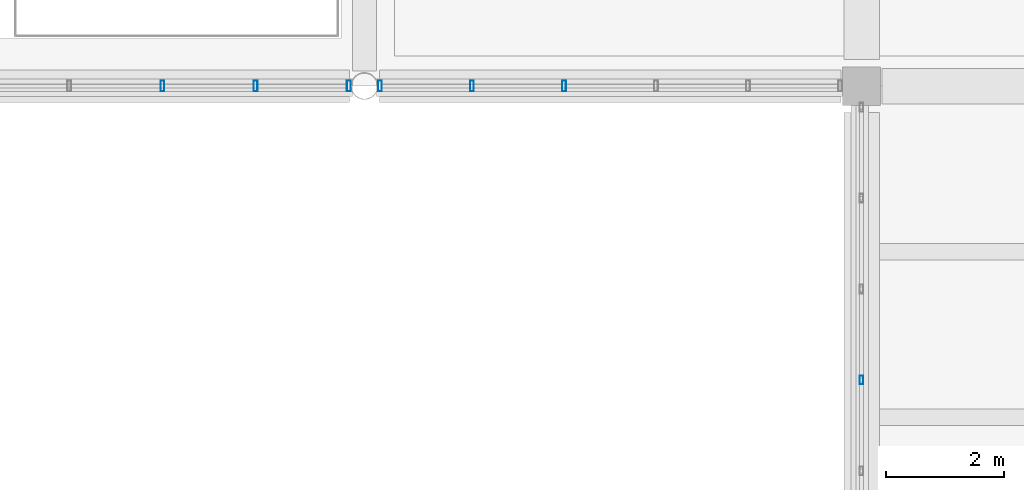
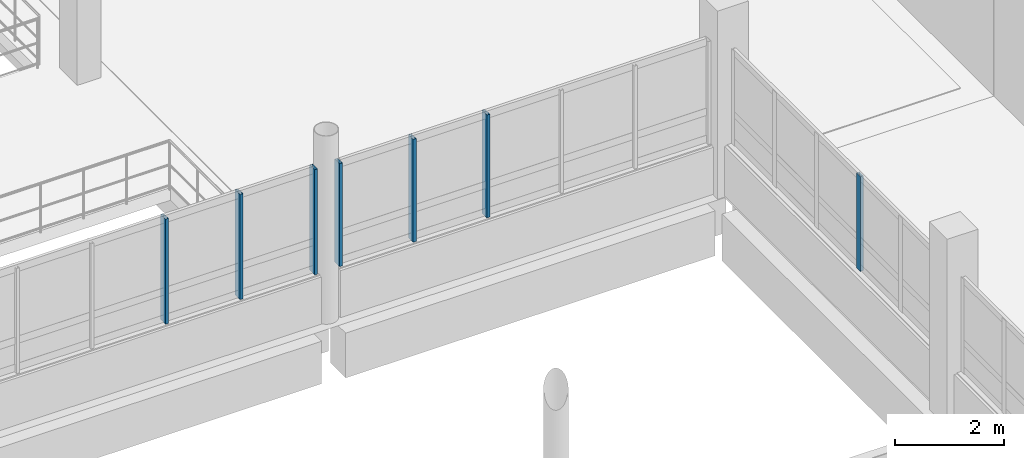
# One storey, part 52 of 101: 7 members, 3 elements without a shape of their own.
"""IFC4 building model written with IfcOpenShell, lengths in metres."""

from ifc_helpers import new_model, si_unit, direction, frame, origin, origin_2d, place, context, subcontext, project, spatial, hollow_rectangle, extrude, material, layer, layer_set, material_profile, profile_set, type_object, element, aggregate, save


model = new_model("IFC4")

# Units and contexts
model_context = context("Model", 3, precision=1e-05, world=origin(), true_north=direction((0.0, 1.0)))
body_context = subcontext(model_context, "Body", "Model", "MODEL_VIEW")
ifc_project = project(units=[si_unit("LENGTHUNIT", "METRE"), si_unit("AREAUNIT", "SQUARE_METRE"), si_unit("VOLUMEUNIT", "CUBIC_METRE"), si_unit("PLANEANGLEUNIT", "RADIAN"), si_unit("MASSUNIT", "GRAM", prefix="KILO")], contexts=[model_context])

# Site, building, storey
site_placement = place(None, origin())
site = spatial("IfcSite", under=ifc_project, at=site_placement, CompositionType="ELEMENT")
building_placement = place(site_placement, origin())
building = spatial("IfcBuilding", under=site, at=building_placement, Name="Vireocrest Preparatory School", CompositionType="ELEMENT")
storey_placement = place(building_placement, frame((0.0, 0.0, 4.800048828125)))
storey = spatial("IfcBuildingStorey", under=building, at=storey_placement, Name="L01", CompositionType="ELEMENT", Elevation=4.800048828125)

# Curtain wall, member
ifc_material = material(Name="Thermally broken aluminium EN AW-6063-T6", Category="aluminium")
ifc_layer_1 = layer(ifc_material, 0.179931640625)
ifc_layer_set_1 = layer_set([ifc_layer_1], Name="Thermally broken aluminium EN AW-6063-T6")
curtain_wall_type_1 = type_object("IfcCurtainWallType", Name="Court Banded Curtain Wall 8400x3000", PredefinedType="USERDEFINED", material=ifc_layer_set_1)
curtain_wall_1_placement = place(storey_placement, origin())
curtain_wall_1 = element("IfcCurtainWall", 1, at=curtain_wall_1_placement, inside=storey, type_object=curtain_wall_type_1, Name="Curtain Wall CW02 CW_L01_CW02_0924_0777_060", ObjectType="CURTAIN WALL", PredefinedType="USERDEFINED")
ifc_material_profile_1 = material_profile(ifc_material, hollow_rectangle(XDim=0.06494140625, YDim=0.14990234375, WallThickness=0.00390625, at=origin_2d()), Name="ALU 65x150x4")
ifc_profile_set_1 = profile_set([ifc_material_profile_1], Name="Thermally broken aluminium EN AW-6063-T6")
member_type_1 = type_object("IfcMemberType", Name="CW Mullion 65x150x4", PredefinedType="MULLION", material=ifc_profile_set_1)
member_1_placement = place(storey_placement, frame((92.39990234375, 80.83203125, 1.14990234375), z_axis=(0.0, 0.0, 1.0), x_axis=(1.0, 0.0, 0.0)))
member_1 = element("IfcMember", 2, at=member_1_placement, type_object=member_type_1, Name="CW Mullion ML1 CW_L01_CW02_0924_0777_060-3", PredefinedType="MULLION", context=body_context, shape_type="SweptSolid", body=[
    extrude(hollow_rectangle(XDim=0.06494140625, YDim=0.14990234375, WallThickness=0.00390625, at=origin_2d()), origin(), (0.0, 0.0, 1.0), 2.114990234375),
])
aggregate(curtain_wall_1, [member_1])

# Curtain wall, members
ifc_layer_2 = layer(ifc_material, 0.179931640625)
ifc_layer_set_2 = layer_set([ifc_layer_2], Name="Thermally broken aluminium EN AW-6063-T6")
curtain_wall_type_2 = type_object("IfcCurtainWallType", Name="Court Banded Curtain Wall 8400x3600", PredefinedType="USERDEFINED", material=ifc_layer_set_2)
curtain_wall_2_placement = place(storey_placement, origin())
curtain_wall_2 = element("IfcCurtainWall", 3, at=curtain_wall_2_placement, inside=storey, type_object=curtain_wall_type_2, Name="Curtain Wall CW01 CW_L01_CW01_0758_0858_059", ObjectType="CURTAIN WALL", PredefinedType="USERDEFINED")
ifc_material_profile_2 = material_profile(ifc_material, hollow_rectangle(XDim=0.06494140625, YDim=0.179931640625, WallThickness=0.00390625, at=origin_2d()), Name="ALU 65x180x4")
ifc_profile_set_2 = profile_set([ifc_material_profile_2], Name="Thermally broken aluminium EN AW-6063-T6")
member_type_2 = type_object("IfcMemberType", Name="CW Mullion 65x180x4", PredefinedType="MULLION", material=ifc_profile_set_2)
member_2_placement = place(storey_placement, frame((80.58740234375, 85.800048828125, 1.099853515625), z_axis=(0.0, 0.0, 1.0), x_axis=(1.0, 0.0, 0.0)))
member_2 = element("IfcMember", 4, at=member_2_placement, type_object=member_type_2, Name="CW Mullion ML2 CW_L01_CW01_0758_0858_059-4", PredefinedType="MULLION", context=body_context, shape_type="SweptSolid", body=[
    extrude(hollow_rectangle(XDim=0.06494140625, YDim=0.179931640625, WallThickness=0.00390625, at=origin_2d()), origin(), (0.0, 0.0, 1.0), 2.34521484375),
])
member_3_placement = place(storey_placement, frame((82.161865234375, 85.800048828125, 1.099853515625), z_axis=(0.0, 0.0, 1.0), x_axis=(1.0, 0.0, 0.0)))
member_3 = element("IfcMember", 5, at=member_3_placement, type_object=member_type_2, Name="CW Mullion ML2 CW_L01_CW01_0758_0858_059-5", PredefinedType="MULLION", context=body_context, shape_type="SweptSolid", body=[
    extrude(hollow_rectangle(XDim=0.06494140625, YDim=0.179931640625, WallThickness=0.00390625, at=origin_2d()), origin(), (0.0, 0.0, 1.0), 2.34521484375),
])
member_4_placement = place(storey_placement, frame((83.736328125, 85.800048828125, 1.099853515625), z_axis=(0.0, 0.0, 1.0), x_axis=(1.0, 0.0, 0.0)))
member_4 = element("IfcMember", 6, at=member_4_placement, type_object=member_type_2, Name="CW Mullion ML2 CW_L01_CW01_0758_0858_059-6", PredefinedType="MULLION", context=body_context, shape_type="SweptSolid", body=[
    extrude(hollow_rectangle(XDim=0.06494140625, YDim=0.179931640625, WallThickness=0.00390625, at=origin_2d()), origin(), (0.0, 0.0, 1.0), 2.34521484375),
])
aggregate(curtain_wall_2, [member_2, member_3, member_4])

curtain_wall_3_placement = place(storey_placement, origin())
curtain_wall_3 = element("IfcCurtainWall", 7, at=curtain_wall_3_placement, inside=storey, type_object=curtain_wall_type_2, Name="Curtain Wall CW01 CW_L01_CW01_0842_0858_059", ObjectType="CURTAIN WALL", PredefinedType="USERDEFINED")
member_5_placement = place(storey_placement, frame((84.263671875, 85.800048828125, 1.099853515625), z_axis=(0.0, 0.0, 1.0), x_axis=(1.0, 0.0, 0.0)))
member_5 = element("IfcMember", 8, at=member_5_placement, type_object=member_type_2, Name="CW Mullion ML2 CW_L01_CW01_0842_0858_059-1", PredefinedType="MULLION", context=body_context, shape_type="SweptSolid", body=[
    extrude(hollow_rectangle(XDim=0.06494140625, YDim=0.179931640625, WallThickness=0.00390625, at=origin_2d()), origin(), (0.0, 0.0, 1.0), 2.295166015625),
])
member_6_placement = place(storey_placement, frame((85.81884765625, 85.800048828125, 1.099853515625), z_axis=(0.0, 0.0, 1.0), x_axis=(1.0, 0.0, 0.0)))
member_6 = element("IfcMember", 9, at=member_6_placement, type_object=member_type_2, Name="CW Mullion ML2 CW_L01_CW01_0842_0858_059-2", PredefinedType="MULLION", context=body_context, shape_type="SweptSolid", body=[
    extrude(hollow_rectangle(XDim=0.06494140625, YDim=0.179931640625, WallThickness=0.00390625, at=origin_2d()), origin(), (0.0, 0.0, 1.0), 2.295166015625),
])
member_7_placement = place(storey_placement, frame((87.374267578125, 85.800048828125, 1.099853515625), z_axis=(0.0, 0.0, 1.0), x_axis=(1.0, 0.0, 0.0)))
member_7 = element("IfcMember", 10, at=member_7_placement, type_object=member_type_2, Name="CW Mullion ML2 CW_L01_CW01_0842_0858_059-3", PredefinedType="MULLION", context=body_context, shape_type="SweptSolid", body=[
    extrude(hollow_rectangle(XDim=0.06494140625, YDim=0.179931640625, WallThickness=0.00390625, at=origin_2d()), origin(), (0.0, 0.0, 1.0), 2.295166015625),
])
aggregate(curtain_wall_3, [member_5, member_6, member_7])

save(model, "model.ifc")
